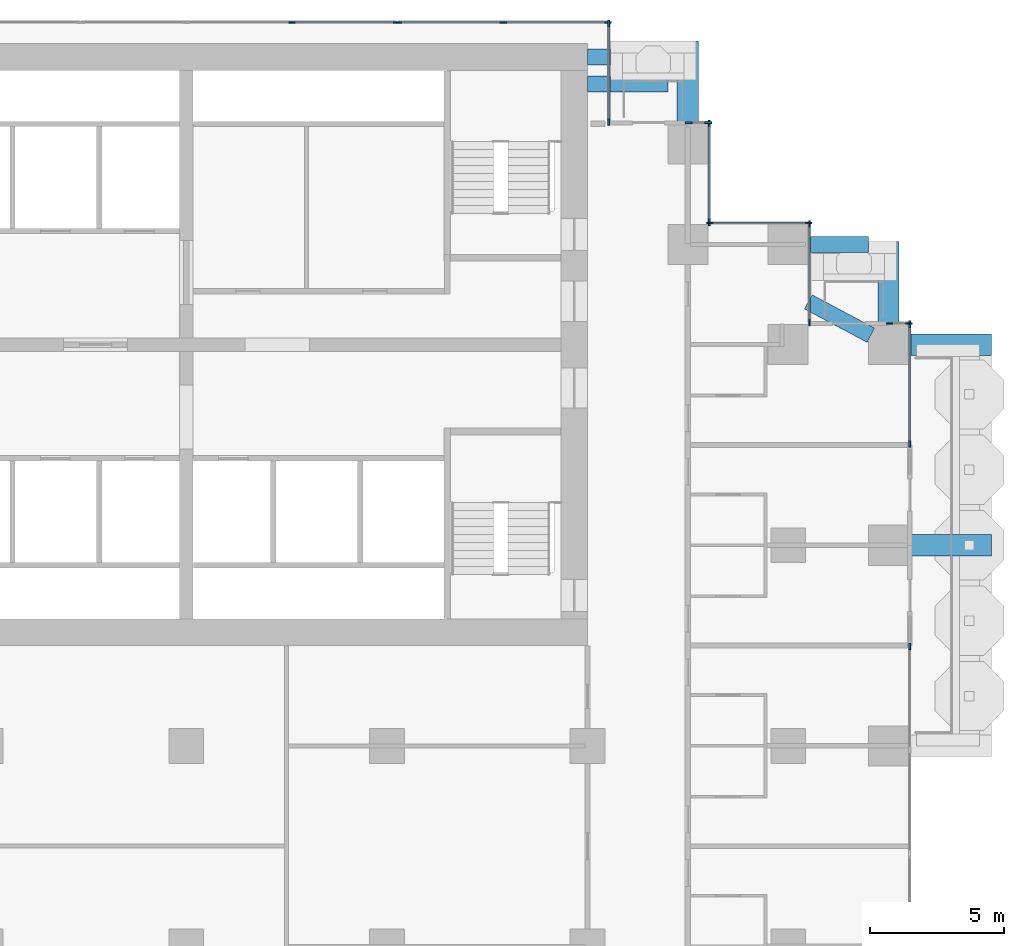
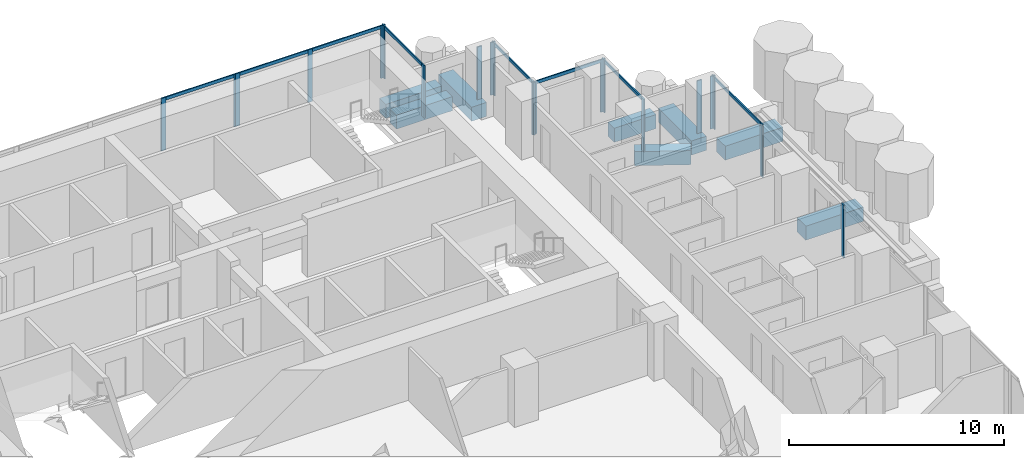
# One storey, part 6 of 19: 28 members, 8 beams, 10 elements without a shape of their own.
"""IFC4 building model written with IfcOpenShell, lengths in metres."""

from ifc_helpers import new_model, si_unit, direction, frame, origin, origin_2d, place, context, subcontext, project, spatial, rectangle, extrude, material, material_profile, profile_set, type_object, element, aggregate, save


model = new_model("IFC4")

# Units and contexts
model_context = context("Model", 3, precision=1e-05, world=origin(), true_north=direction((0.0, 1.0)))
body_context = subcontext(model_context, "Body", "Model", "MODEL_VIEW")
ifc_project = project(units=[si_unit("LENGTHUNIT", "METRE"), si_unit("AREAUNIT", "SQUARE_METRE"), si_unit("VOLUMEUNIT", "CUBIC_METRE"), si_unit("PLANEANGLEUNIT", "RADIAN"), si_unit("MASSUNIT", "GRAM", prefix="KILO")], contexts=[model_context])

# Site, building, storey
site_placement = place(None, origin())
site = spatial("IfcSite", under=ifc_project, at=site_placement, CompositionType="ELEMENT")
building_placement = place(site_placement, origin())
building = spatial("IfcBuilding", under=site, at=building_placement, Name="Pilkhan Gate Tower", CompositionType="ELEMENT")
storey_placement = place(building_placement, frame((0.0, 0.0, 59.300048828125)))
storey = spatial("IfcBuildingStorey", under=building, at=storey_placement, Name="L12", CompositionType="ELEMENT", Elevation=59.300048828125)

# Beams
ifc_material_1 = material(Name="Concrete C50/60", Category="concrete")
ifc_material_profile_1 = material_profile(ifc_material_1, rectangle(XDim=0.60009765625, YDim=0.800048828125, at=origin_2d()), Name="RC 600x800")
ifc_profile_set_1 = profile_set([ifc_material_profile_1], Name="Concrete C50/60")
beam_type_1 = type_object("IfcBeamType", Name="Cantilever beam CB1 RC 600x800 C50/60", PredefinedType="BEAM", material=ifc_profile_set_1)
for number, where, z_axis, x_axis, name in (
    (1, (90.0, 93.25, -0.699951171875), (1.0, 0.0, 0.0), (0.0, 1.0, 0.0), "Balcony beam NE.2 L12"),
    (2, (90.0, 92.25, -0.699951171875), (1.0, 0.0, 0.0), (0.0, 1.0, 0.0), "Balcony beam NE.3 L12"),
):
    element("IfcBeam", number, at=place(storey_placement, frame(where, z_axis=z_axis, x_axis=x_axis)), inside=storey, type_object=beam_type_1, Name=name, PredefinedType="BEAM", context=body_context, shape_type="SweptSolid", body=[
        extrude(rectangle(XDim=0.60009765625, YDim=0.800048828125, at=origin_2d()), origin(), (0.0, 0.0, 1.0), 3.0),
    ])
beam_1_placement = place(storey_placement, frame((98.25, 86.25, -0.699951171875), z_axis=(1.0, 0.0, 0.0), x_axis=(0.0, 1.0, 0.0)))
element("IfcBeam", 3, at=beam_1_placement, inside=storey, type_object=beam_type_1, Name="Balcony beam NE2.2 L12", PredefinedType="BEAM", context=body_context, shape_type="SweptSolid", body=[
    extrude(rectangle(XDim=0.60009765625, YDim=0.800048828125, at=origin_2d()), origin(), (0.0, 0.0, 1.0), 2.25),
])
beam_2_placement = place(storey_placement, frame((100.588134765625, 82.85302734375, -0.699951171875), z_axis=(-0.882342739565, 0.470607362817, 0.0), x_axis=(-0.470607362817, -0.882342739565, 0.0)))
element("IfcBeam", 4, at=beam_2_placement, inside=storey, type_object=beam_type_1, Name="Balcony beam NE2.3 L12", PredefinedType="BEAM", context=body_context, shape_type="SweptSolid", body=[
    extrude(rectangle(XDim=0.60009765625, YDim=0.800048828125, at=origin_2d()), origin(), (0.0, 0.0, 1.0), 2.64990234375),
])
ifc_material_profile_2 = material_profile(ifc_material_1, rectangle(XDim=0.800048828125, YDim=0.800048828125, at=origin_2d()), Name="RC 800x800")
ifc_profile_set_2 = profile_set([ifc_material_profile_2], Name="Concrete C50/60")
beam_type_2 = type_object("IfcBeamType", Name="Cantilever beam CB2 RC 800x800 C50/60", PredefinedType="BEAM", material=ifc_profile_set_2)
for number, where, z_axis, x_axis, name in (
    (5, (102.0, 75.0, -0.699951171875), (1.0, 0.0, 0.0), (0.0, 1.0, 0.0), "Balcony beam E.2 L12"),
    (6, (102.0, 82.5, -0.699951171875), (1.0, 0.0, 0.0), (0.0, 1.0, 0.0), "Balcony beam E.3 L12"),
    (7, (93.75, 90.75, -0.699951171875), (0.0, 1.0, 0.0), (-1.0, 0.0, 0.0), "Balcony beam NE.1 L12"),
    (8, (101.25, 83.25, -0.699951171875), (0.0, 1.0, 0.0), (-1.0, 0.0, 0.0), "Balcony beam NE2.1 L12"),
):
    element("IfcBeam", number, at=place(storey_placement, frame(where, z_axis=z_axis, x_axis=x_axis)), inside=storey, type_object=beam_type_2, Name=name, PredefinedType="BEAM", context=body_context, shape_type="SweptSolid", body=[
        extrude(rectangle(XDim=0.800048828125, YDim=0.800048828125, at=origin_2d()), origin(), (0.0, 0.0, 1.0), 3.10009765625),
    ])

# Curtain wall, member
ifc_material_2 = material(Name="Pale anodised aluminium, clear low-iron double glazing", Category="aluminium")
curtain_wall_type = type_object("IfcCurtainWallType", Name="Hotel unitised curtain wall CW-H", PredefinedType="USERDEFINED", material=ifc_material_2)
curtain_wall_1_placement = place(storey_placement, origin())
curtain_wall_1 = element("IfcCurtainWall", 9, at=curtain_wall_1_placement, inside=storey, type_object=curtain_wall_type, Name="Hotel unitised curtain wall CW-H L12 E", ObjectType="UNITISED CURTAIN WALL", PredefinedType="USERDEFINED")
ifc_material_3 = material(Name="Pale anodised aluminium", Category="aluminium")
ifc_material_profile_3 = material_profile(ifc_material_3, rectangle(XDim=0.06494140625, YDim=0.25, at=origin_2d()), Name="Mullion 250x65")
ifc_profile_set_3 = profile_set([ifc_material_profile_3], Name="Pale anodised aluminium")
member_type_1 = type_object("IfcMemberType", Name="Mullion CW-H 250x65", PredefinedType="MULLION", material=ifc_profile_set_3)
member_1_placement = place(storey_placement, frame((102.044921875, 71.217529296875, 0.0), z_axis=(0.0, 0.0, 1.0), x_axis=(-1.0, 0.0, 0.0)))
member_1 = element("IfcMember", 10, at=member_1_placement, type_object=member_type_1, Name="CW-H mullion 3", PredefinedType="MULLION", context=body_context, shape_type="SweptSolid", body=[
    extrude(rectangle(XDim=0.06494140625, YDim=0.25, at=origin_2d()), origin(), (0.0, 0.0, 1.0), 3.0),
])
aggregate(curtain_wall_1, [member_1])

# Curtain wall, members
curtain_wall_2_placement = place(storey_placement, origin())
curtain_wall_2 = element("IfcCurtainWall", 11, at=curtain_wall_2_placement, inside=storey, type_object=curtain_wall_type, Name="Hotel unitised curtain wall CW-H L12 E", ObjectType="UNITISED CURTAIN WALL", PredefinedType="USERDEFINED")
member_2_placement = place(storey_placement, frame((102.044921875, 78.782470703125, 0.0), z_axis=(0.0, 0.0, 1.0), x_axis=(-1.0, 0.0, 0.0)))
member_2 = element("IfcMember", 12, at=member_2_placement, type_object=member_type_1, Name="CW-H mullion 1", PredefinedType="MULLION", context=body_context, shape_type="SweptSolid", body=[
    extrude(rectangle(XDim=0.06494140625, YDim=0.25, at=origin_2d()), origin(), (0.0, 0.0, 1.0), 3.0),
])
member_3_placement = place(storey_placement, frame((102.044921875, 83.262451171875, 0.0), z_axis=(0.0, 0.0, 1.0), x_axis=(-1.0, 0.0, 0.0)))
member_3 = element("IfcMember", 13, at=member_3_placement, type_object=member_type_1, Name="CW-H mullion 2", PredefinedType="MULLION", context=body_context, shape_type="SweptSolid", body=[
    extrude(rectangle(XDim=0.06494140625, YDim=0.25, at=origin_2d()), origin(), (0.0, 0.0, 1.0), 3.0),
])

curtain_wall_3_placement = place(storey_placement, origin())
curtain_wall_3 = element("IfcCurtainWall", 14, at=curtain_wall_3_placement, inside=storey, type_object=curtain_wall_type, Name="Hotel unitised curtain wall CW-H L12 N", ObjectType="UNITISED CURTAIN WALL", PredefinedType="USERDEFINED")
member_4_placement = place(storey_placement, frame((101.282470703125, 83.294921875, 0.0), z_axis=(0.0, 0.0, 1.0), x_axis=(0.0, 1.0, 0.0)))
member_4 = element("IfcMember", 15, at=member_4_placement, type_object=member_type_1, Name="CW-H mullion 1", PredefinedType="MULLION", context=body_context, shape_type="SweptSolid", body=[
    extrude(rectangle(XDim=0.06494140625, YDim=0.25, at=origin_2d()), origin(), (0.0, 0.0, 1.0), 3.0),
])
member_5_placement = place(storey_placement, frame((102.012451171875, 83.294921875, 0.0), z_axis=(0.0, 0.0, 1.0), x_axis=(0.0, 1.0, 0.0)))
member_5 = element("IfcMember", 16, at=member_5_placement, type_object=member_type_1, Name="CW-H mullion 2", PredefinedType="MULLION", context=body_context, shape_type="SweptSolid", body=[
    extrude(rectangle(XDim=0.06494140625, YDim=0.25, at=origin_2d()), origin(), (0.0, 0.0, 1.0), 3.0),
])
aggregate(curtain_wall_3, [member_4, member_5])

curtain_wall_4_placement = place(storey_placement, origin())
curtain_wall_4 = element("IfcCurtainWall", 17, at=curtain_wall_4_placement, inside=storey, type_object=curtain_wall_type, Name="Hotel unitised curtain wall CW-H L12 E", ObjectType="UNITISED CURTAIN WALL", PredefinedType="USERDEFINED")
member_6_placement = place(storey_placement, frame((98.294921875, 83.327392578125, 0.0), z_axis=(0.0, 0.0, 1.0), x_axis=(-1.0, 0.0, 0.0)))
member_6 = element("IfcMember", 18, at=member_6_placement, type_object=member_type_1, Name="CW-H mullion 1", PredefinedType="MULLION", context=body_context, shape_type="SweptSolid", body=[
    extrude(rectangle(XDim=0.06494140625, YDim=0.25, at=origin_2d()), origin(), (0.0, 0.0, 1.0), 3.0),
])
member_7_placement = place(storey_placement, frame((98.294921875, 87.012451171875, 0.0), z_axis=(0.0, 0.0, 1.0), x_axis=(-1.0, 0.0, 0.0)))
member_7 = element("IfcMember", 19, at=member_7_placement, type_object=member_type_1, Name="CW-H mullion 2", PredefinedType="MULLION", context=body_context, shape_type="SweptSolid", body=[
    extrude(rectangle(XDim=0.06494140625, YDim=0.25, at=origin_2d()), origin(), (0.0, 0.0, 1.0), 3.0),
])

curtain_wall_5_placement = place(storey_placement, origin())
curtain_wall_5 = element("IfcCurtainWall", 20, at=curtain_wall_5_placement, inside=storey, type_object=curtain_wall_type, Name="Hotel unitised curtain wall CW-H L12 N", ObjectType="UNITISED CURTAIN WALL", PredefinedType="USERDEFINED")
member_8_placement = place(storey_placement, frame((94.577392578125, 87.044921875, 0.0), z_axis=(0.0, 0.0, 1.0), x_axis=(0.0, 1.0, 0.0)))
member_8 = element("IfcMember", 21, at=member_8_placement, type_object=member_type_1, Name="CW-H mullion 1", PredefinedType="MULLION", context=body_context, shape_type="SweptSolid", body=[
    extrude(rectangle(XDim=0.06494140625, YDim=0.25, at=origin_2d()), origin(), (0.0, 0.0, 1.0), 3.0),
])
member_9_placement = place(storey_placement, frame((98.262451171875, 87.044921875, 0.0), z_axis=(0.0, 0.0, 1.0), x_axis=(0.0, 1.0, 0.0)))
member_9 = element("IfcMember", 22, at=member_9_placement, type_object=member_type_1, Name="CW-H mullion 2", PredefinedType="MULLION", context=body_context, shape_type="SweptSolid", body=[
    extrude(rectangle(XDim=0.06494140625, YDim=0.25, at=origin_2d()), origin(), (0.0, 0.0, 1.0), 3.0),
])

curtain_wall_6_placement = place(storey_placement, origin())
curtain_wall_6 = element("IfcCurtainWall", 23, at=curtain_wall_6_placement, inside=storey, type_object=curtain_wall_type, Name="Hotel unitised curtain wall CW-H L12 E", ObjectType="UNITISED CURTAIN WALL", PredefinedType="USERDEFINED")
member_10_placement = place(storey_placement, frame((94.544921875, 87.077392578125, 0.0), z_axis=(0.0, 0.0, 1.0), x_axis=(-1.0, 0.0, 0.0)))
member_10 = element("IfcMember", 24, at=member_10_placement, type_object=member_type_1, Name="CW-H mullion 1", PredefinedType="MULLION", context=body_context, shape_type="SweptSolid", body=[
    extrude(rectangle(XDim=0.06494140625, YDim=0.25, at=origin_2d()), origin(), (0.0, 0.0, 1.0), 3.0),
])
member_11_placement = place(storey_placement, frame((94.544921875, 90.762451171875, 0.0), z_axis=(0.0, 0.0, 1.0), x_axis=(-1.0, 0.0, 0.0)))
member_11 = element("IfcMember", 25, at=member_11_placement, type_object=member_type_1, Name="CW-H mullion 2", PredefinedType="MULLION", context=body_context, shape_type="SweptSolid", body=[
    extrude(rectangle(XDim=0.06494140625, YDim=0.25, at=origin_2d()), origin(), (0.0, 0.0, 1.0), 3.0),
])

curtain_wall_7_placement = place(storey_placement, origin())
curtain_wall_7 = element("IfcCurtainWall", 26, at=curtain_wall_7_placement, inside=storey, type_object=curtain_wall_type, Name="Hotel unitised curtain wall CW-H L12 N", ObjectType="UNITISED CURTAIN WALL", PredefinedType="USERDEFINED")
member_12_placement = place(storey_placement, frame((93.782470703125, 90.794921875, 0.0), z_axis=(0.0, 0.0, 1.0), x_axis=(0.0, 1.0, 0.0)))
member_12 = element("IfcMember", 27, at=member_12_placement, type_object=member_type_1, Name="CW-H mullion 1", PredefinedType="MULLION", context=body_context, shape_type="SweptSolid", body=[
    extrude(rectangle(XDim=0.06494140625, YDim=0.25, at=origin_2d()), origin(), (0.0, 0.0, 1.0), 3.0),
])
member_13_placement = place(storey_placement, frame((94.512451171875, 90.794921875, 0.0), z_axis=(0.0, 0.0, 1.0), x_axis=(0.0, 1.0, 0.0)))
member_13 = element("IfcMember", 28, at=member_13_placement, type_object=member_type_1, Name="CW-H mullion 2", PredefinedType="MULLION", context=body_context, shape_type="SweptSolid", body=[
    extrude(rectangle(XDim=0.06494140625, YDim=0.25, at=origin_2d()), origin(), (0.0, 0.0, 1.0), 3.0),
])
aggregate(curtain_wall_7, [member_12, member_13])

curtain_wall_8_placement = place(storey_placement, origin())
curtain_wall_8 = element("IfcCurtainWall", 29, at=curtain_wall_8_placement, inside=storey, type_object=curtain_wall_type, Name="Hotel unitised curtain wall CW-H L12 E", ObjectType="UNITISED CURTAIN WALL", PredefinedType="USERDEFINED")
member_14_placement = place(storey_placement, frame((90.794921875, 90.827392578125, 0.0), z_axis=(0.0, 0.0, 1.0), x_axis=(-1.0, 0.0, 0.0)))
member_14 = element("IfcMember", 30, at=member_14_placement, type_object=member_type_1, Name="CW-H mullion 1", PredefinedType="MULLION", context=body_context, shape_type="SweptSolid", body=[
    extrude(rectangle(XDim=0.06494140625, YDim=0.25, at=origin_2d()), origin(), (0.0, 0.0, 1.0), 3.0),
])
member_15_placement = place(storey_placement, frame((90.794921875, 94.512451171875, 0.0), z_axis=(0.0, 0.0, 1.0), x_axis=(-1.0, 0.0, 0.0)))
member_15 = element("IfcMember", 31, at=member_15_placement, type_object=member_type_1, Name="CW-H mullion 2", PredefinedType="MULLION", context=body_context, shape_type="SweptSolid", body=[
    extrude(rectangle(XDim=0.06494140625, YDim=0.25, at=origin_2d()), origin(), (0.0, 0.0, 1.0), 3.0),
])

curtain_wall_9_placement = place(storey_placement, origin())
curtain_wall_9 = element("IfcCurtainWall", 32, at=curtain_wall_9_placement, inside=storey, type_object=curtain_wall_type, Name="Hotel unitised curtain wall CW-H L12 N", ObjectType="UNITISED CURTAIN WALL", PredefinedType="USERDEFINED")
member_16_placement = place(storey_placement, frame((78.94873046875, 94.544921875, 0.0), z_axis=(0.0, 0.0, 1.0), x_axis=(0.0, 1.0, 0.0)))
member_16 = element("IfcMember", 33, at=member_16_placement, type_object=member_type_1, Name="CW-H mullion 3", PredefinedType="MULLION", context=body_context, shape_type="SweptSolid", body=[
    extrude(rectangle(XDim=0.06494140625, YDim=0.25, at=origin_2d()), origin(), (0.0, 0.0, 1.0), 3.0),
])
member_17_placement = place(storey_placement, frame((82.864990234375, 94.544921875, 0.0), z_axis=(0.0, 0.0, 1.0), x_axis=(0.0, 1.0, 0.0)))
member_17 = element("IfcMember", 34, at=member_17_placement, type_object=member_type_1, Name="CW-H mullion 4", PredefinedType="MULLION", context=body_context, shape_type="SweptSolid", body=[
    extrude(rectangle(XDim=0.06494140625, YDim=0.25, at=origin_2d()), origin(), (0.0, 0.0, 1.0), 3.0),
])

curtain_wall_10_placement = place(storey_placement, origin())
curtain_wall_10 = element("IfcCurtainWall", 35, at=curtain_wall_10_placement, inside=storey, type_object=curtain_wall_type, Name="Hotel unitised curtain wall CW-H L12 N", ObjectType="UNITISED CURTAIN WALL", PredefinedType="USERDEFINED")
member_18_placement = place(storey_placement, frame((82.929931640625, 94.544921875, 0.0), z_axis=(0.0, 0.0, 1.0), x_axis=(0.0, 1.0, 0.0)))
member_18 = element("IfcMember", 36, at=member_18_placement, type_object=member_type_1, Name="CW-H mullion 1", PredefinedType="MULLION", context=body_context, shape_type="SweptSolid", body=[
    extrude(rectangle(XDim=0.06494140625, YDim=0.25, at=origin_2d()), origin(), (0.0, 0.0, 1.0), 3.0),
])
member_19_placement = place(storey_placement, frame((86.84619140625, 94.544921875, 0.0), z_axis=(0.0, 0.0, 1.0), x_axis=(0.0, 1.0, 0.0)))
member_19 = element("IfcMember", 37, at=member_19_placement, type_object=member_type_1, Name="CW-H mullion 2", PredefinedType="MULLION", context=body_context, shape_type="SweptSolid", body=[
    extrude(rectangle(XDim=0.06494140625, YDim=0.25, at=origin_2d()), origin(), (0.0, 0.0, 1.0), 3.0),
])
member_20_placement = place(storey_placement, frame((90.762451171875, 94.544921875, 0.0), z_axis=(0.0, 0.0, 1.0), x_axis=(0.0, 1.0, 0.0)))
member_20 = element("IfcMember", 38, at=member_20_placement, type_object=member_type_1, Name="CW-H mullion 3", PredefinedType="MULLION", context=body_context, shape_type="SweptSolid", body=[
    extrude(rectangle(XDim=0.06494140625, YDim=0.25, at=origin_2d()), origin(), (0.0, 0.0, 1.0), 3.0),
])

# Member
ifc_material_profile_4 = material_profile(ifc_material_3, rectangle(XDim=0.06494140625, YDim=0.179931640625, at=origin_2d()), Name="Transom 180x65")
ifc_profile_set_4 = profile_set([ifc_material_profile_4], Name="Pale anodised aluminium")
member_type_2 = type_object("IfcMemberType", Name="Transom CW-H 180x65", PredefinedType="USERDEFINED", material=ifc_profile_set_4)
member_21_placement = place(storey_placement, frame((102.044921875, 78.81494140625, 2.909912109375), z_axis=(0.0, 1.0, 0.0), x_axis=(-1.0, 0.0, 0.0)))
member_21 = element("IfcMember", 39, at=member_21_placement, type_object=member_type_2, Name="CW-H transom 1", ObjectType="TRANSOM", PredefinedType="USERDEFINED", context=body_context, shape_type="SweptSolid", body=[
    extrude(rectangle(XDim=0.06494140625, YDim=0.179931640625, at=origin_2d()), origin(), (0.0, 0.0, 1.0), 4.4150390625),
])

aggregate(curtain_wall_2, [member_2, member_3, member_21])

member_22_placement = place(storey_placement, frame((98.294921875, 83.360107421875, 2.909912109375), z_axis=(0.0, 1.0, 0.0), x_axis=(-1.0, 0.0, 0.0)))
member_22 = element("IfcMember", 40, at=member_22_placement, type_object=member_type_2, Name="CW-H transom 1", ObjectType="TRANSOM", PredefinedType="USERDEFINED", context=body_context, shape_type="SweptSolid", body=[
    extrude(rectangle(XDim=0.06494140625, YDim=0.179931640625, at=origin_2d()), origin(), (0.0, 0.0, 1.0), 3.619873046875),
])

aggregate(curtain_wall_4, [member_6, member_7, member_22])

member_23_placement = place(storey_placement, frame((94.610107421875, 87.044921875, 2.909912109375), z_axis=(1.0, 0.0, 0.0), x_axis=(0.0, 1.0, 0.0)))
member_23 = element("IfcMember", 41, at=member_23_placement, type_object=member_type_2, Name="CW-H transom 1", ObjectType="TRANSOM", PredefinedType="USERDEFINED", context=body_context, shape_type="SweptSolid", body=[
    extrude(rectangle(XDim=0.06494140625, YDim=0.179931640625, at=origin_2d()), origin(), (0.0, 0.0, 1.0), 3.619873046875),
])

aggregate(curtain_wall_5, [member_8, member_9, member_23])

member_24_placement = place(storey_placement, frame((94.544921875, 87.110107421875, 2.909912109375), z_axis=(0.0, 1.0, 0.0), x_axis=(-1.0, 0.0, 0.0)))
member_24 = element("IfcMember", 42, at=member_24_placement, type_object=member_type_2, Name="CW-H transom 1", ObjectType="TRANSOM", PredefinedType="USERDEFINED", context=body_context, shape_type="SweptSolid", body=[
    extrude(rectangle(XDim=0.06494140625, YDim=0.179931640625, at=origin_2d()), origin(), (0.0, 0.0, 1.0), 3.619873046875),
])

aggregate(curtain_wall_6, [member_10, member_11, member_24])

member_25_placement = place(storey_placement, frame((90.794921875, 90.860107421875, 2.909912109375), z_axis=(0.0, 1.0, 0.0), x_axis=(-1.0, 0.0, 0.0)))
member_25 = element("IfcMember", 43, at=member_25_placement, type_object=member_type_2, Name="CW-H transom 1", ObjectType="TRANSOM", PredefinedType="USERDEFINED", context=body_context, shape_type="SweptSolid", body=[
    extrude(rectangle(XDim=0.06494140625, YDim=0.179931640625, at=origin_2d()), origin(), (0.0, 0.0, 1.0), 3.619873046875),
])

aggregate(curtain_wall_8, [member_14, member_15, member_25])

member_26_placement = place(storey_placement, frame((78.981201171875, 94.544921875, 2.909912109375), z_axis=(1.0, 0.0, 0.0), x_axis=(0.0, 1.0, 0.0)))
member_26 = element("IfcMember", 44, at=member_26_placement, type_object=member_type_2, Name="CW-H transom 3", ObjectType="TRANSOM", PredefinedType="USERDEFINED", context=body_context, shape_type="SweptSolid", body=[
    extrude(rectangle(XDim=0.06494140625, YDim=0.179931640625, at=origin_2d()), origin(), (0.0, 0.0, 1.0), 3.851318359375),
])

aggregate(curtain_wall_9, [member_16, member_17, member_26])

member_27_placement = place(storey_placement, frame((82.96240234375, 94.544921875, 2.909912109375), z_axis=(1.0, 0.0, 0.0), x_axis=(0.0, 1.0, 0.0)))
member_27 = element("IfcMember", 45, at=member_27_placement, type_object=member_type_2, Name="CW-H transom 1", ObjectType="TRANSOM", PredefinedType="USERDEFINED", context=body_context, shape_type="SweptSolid", body=[
    extrude(rectangle(XDim=0.06494140625, YDim=0.179931640625, at=origin_2d()), origin(), (0.0, 0.0, 1.0), 3.851318359375),
])

member_28_placement = place(storey_placement, frame((86.878662109375, 94.544921875, 2.909912109375), z_axis=(1.0, 0.0, 0.0), x_axis=(0.0, 1.0, 0.0)))
member_28 = element("IfcMember", 46, at=member_28_placement, type_object=member_type_2, Name="CW-H transom 2", ObjectType="TRANSOM", PredefinedType="USERDEFINED", context=body_context, shape_type="SweptSolid", body=[
    extrude(rectangle(XDim=0.06494140625, YDim=0.179931640625, at=origin_2d()), origin(), (0.0, 0.0, 1.0), 3.851318359375),
])

aggregate(curtain_wall_10, [member_18, member_19, member_20, member_27, member_28])

save(model, "model.ifc")
